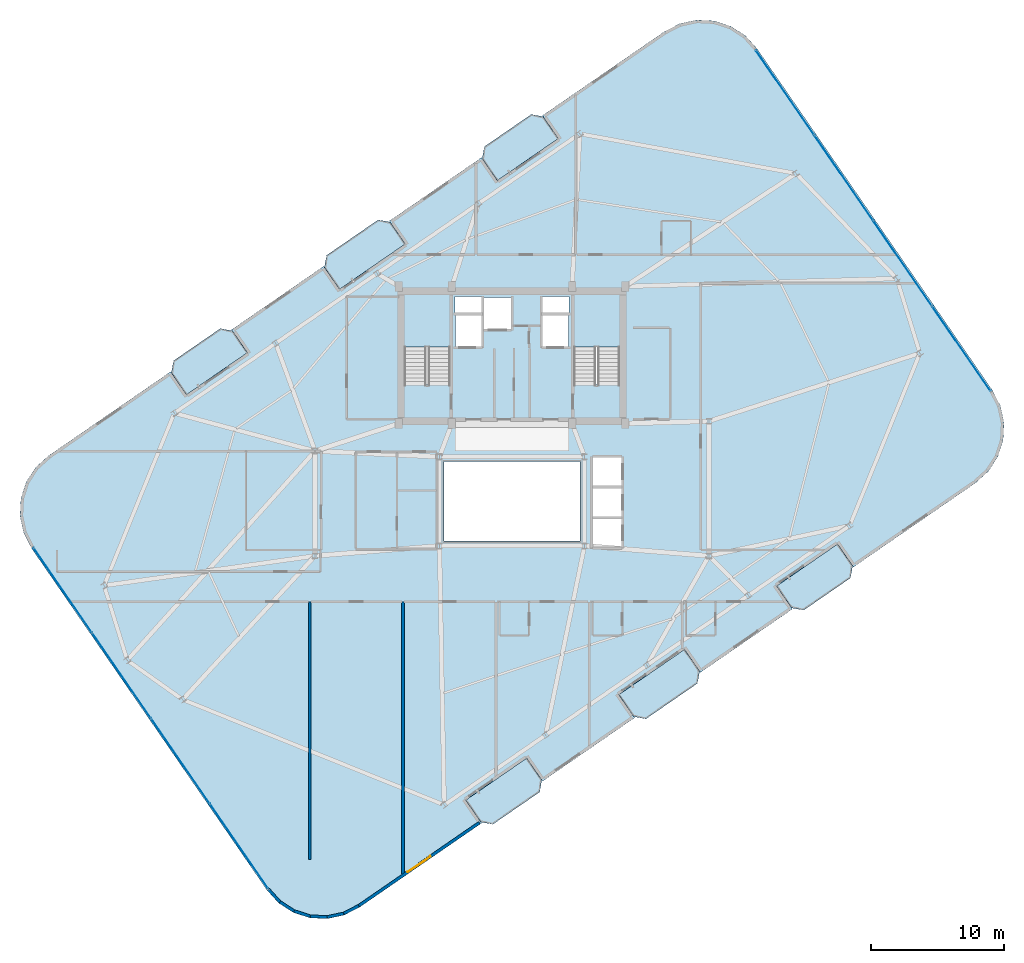
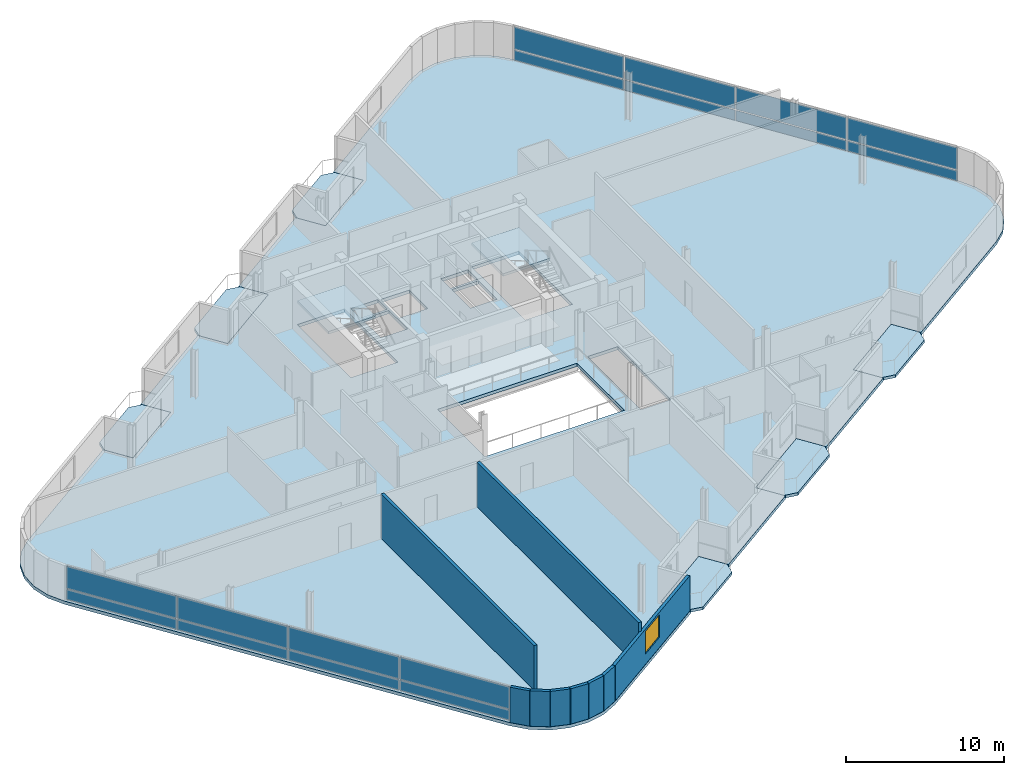
# One storey, part 13 of 21: 16 plates, 9 slabs, 9 walls, 1 window, 1 opening, 4 elements without a shape of their own.
"""IFC4 building model written with IfcOpenShell, lengths in metres."""

from ifc_helpers import new_model, si_unit, direction, frame, frame_2d, origin, origin_2d, place, context, subcontext, project, spatial, polyline, rectangle, outline, extrude, source, transform, mapped, material, layer, layer_set, type_object, element, fill, aggregate, save


model = new_model("IFC4")

# Units and contexts
model_context = context("Model", 3, precision=1e-05, world=origin(), true_north=direction((0.0, 1.0)))
body_context = subcontext(model_context, "Body", "Model", "MODEL_VIEW")
ifc_project = project(units=[si_unit("LENGTHUNIT", "METRE"), si_unit("AREAUNIT", "SQUARE_METRE"), si_unit("VOLUMEUNIT", "CUBIC_METRE"), si_unit("PLANEANGLEUNIT", "RADIAN"), si_unit("MASSUNIT", "GRAM", prefix="KILO")], contexts=[model_context])

# Site, building, storey
site_placement = place(None, origin())
site = spatial("IfcSite", under=ifc_project, at=site_placement, CompositionType="ELEMENT")
building_placement = place(site_placement, origin())
building = spatial("IfcBuilding", under=site, at=building_placement, Name="Varnelok Gate Tower", CompositionType="ELEMENT")
storey_placement = place(building_placement, frame((0.0, 0.0, 261.89990234375)))
storey = spatial("IfcBuildingStorey", under=building, at=storey_placement, Name="L67", CompositionType="ELEMENT", Elevation=261.89990234375)

# Slabs
ifc_material_1 = material(Name="Concrete C45/55", Category="concrete")
ifc_layer_1 = layer(ifc_material_1, 0.219970703125)
ifc_layer_set_1 = layer_set([ifc_layer_1], Name="Concrete C45/55")
slab_type_1 = type_object("IfcSlabType", Name="SLB-BALC-220", PredefinedType="FLOOR", material=ifc_layer_set_1)
slab_1_placement = place(storey_placement, frame((0.0, 0.0, -0.219970703125)))
element("IfcSlab", 1, at=slab_1_placement, inside=storey, type_object=slab_type_1, Name="L67 South Hollow Balcony 1", PredefinedType="FLOOR", context=body_context, shape_type="SweptSolid", body=[
    extrude(outline(polyline([(36.856201171875, -1.207275390625), (37.76025390625, -1.373779296875), (41.274169921875, 1.046630859375), (41.440673828125, 1.95068359375), (40.30615234375, 3.597900390625), (35.7216796875, 0.439697265625), (36.856201171875, -1.207275390625)])), origin(), (0.0, 0.0, 1.0), 0.219970703125),
])
slab_2_placement = place(storey_placement, frame((0.0, 0.0, -0.219970703125)))
element("IfcSlab", 2, at=slab_2_placement, inside=storey, type_object=slab_type_1, Name="L67 South Hollow Balcony 2", PredefinedType="FLOOR", context=body_context, shape_type="SweptSolid", body=[
    extrude(outline(polyline([(48.3583984375, 6.7158203125), (49.262451171875, 6.54931640625), (53.133056640625, 9.21533203125), (53.299560546875, 10.119384765625), (52.1650390625, 11.7666015625), (47.223876953125, 8.36279296875), (48.3583984375, 6.7158203125)])), origin(), (0.0, 0.0, 1.0), 0.219970703125),
])
slab_3_placement = place(storey_placement, frame((0.0, 0.0, -0.219970703125)))
element("IfcSlab", 3, at=slab_3_placement, inside=storey, type_object=slab_type_1, Name="L67 South Hollow Balcony 3", PredefinedType="FLOOR", context=body_context, shape_type="SweptSolid", body=[
    extrude(outline(polyline([(60.21728515625, 14.884521484375), (61.121337890625, 14.718017578125), (64.63525390625, 17.138427734375), (64.802001953125, 18.04248046875), (63.66748046875, 19.689453125), (59.082763671875, 16.531494140625), (60.21728515625, 14.884521484375)])), origin(), (0.0, 0.0, 1.0), 0.219970703125),
])
slab_4_placement = place(storey_placement, frame((0.0, 0.0, -0.219970703125)))
element("IfcSlab", 4, at=slab_4_placement, inside=storey, type_object=slab_type_1, Name="L67 North Hollow Balcony 1", PredefinedType="FLOOR", context=body_context, shape_type="SweptSolid", body=[
    extrude(outline(polyline([(14.732666015625, 30.910400390625), (19.3173828125, 34.068603515625), (18.1826171875, 35.715576171875), (17.27880859375, 35.882080078125), (13.7646484375, 33.461669921875), (13.59814453125, 32.5576171875), (14.732666015625, 30.910400390625)])), origin(), (0.0, 0.0, 1.0), 0.219970703125),
])
slab_5_placement = place(storey_placement, frame((0.0, 0.0, -0.219970703125)))
element("IfcSlab", 5, at=slab_5_placement, inside=storey, type_object=slab_type_1, Name="L67 North Hollow Balcony 2", PredefinedType="FLOOR", context=body_context, shape_type="SweptSolid", body=[
    extrude(outline(polyline([(26.23486328125, 38.83349609375), (31.176025390625, 42.2373046875), (30.04150390625, 43.88427734375), (29.1376953125, 44.05078125), (25.26708984375, 41.384521484375), (25.100341796875, 40.480712890625), (26.23486328125, 38.83349609375)])), origin(), (0.0, 0.0, 1.0), 0.219970703125),
])
slab_6_placement = place(storey_placement, frame((0.0, 0.0, -0.219970703125)))
element("IfcSlab", 6, at=slab_6_placement, inside=storey, type_object=slab_type_1, Name="L67 North Hollow Balcony 3", PredefinedType="FLOOR", context=body_context, shape_type="SweptSolid", body=[
    extrude(outline(polyline([(38.09375, 47.002197265625), (42.678466796875, 50.16015625), (41.5439453125, 51.807373046875), (40.639892578125, 51.973876953125), (37.125732421875, 49.55322265625), (36.959228515625, 48.6494140625), (38.09375, 47.002197265625)])), origin(), (0.0, 0.0, 1.0), 0.219970703125),
])

# Stair, slab
ifc_material_2 = material(Name="Concrete C50/60", Category="concrete")
stair_type = type_object("IfcStairType", Name="STR-CORE-1650", PredefinedType="HALF_TURN_STAIR", material=ifc_material_2)
stair_1_placement = place(storey_placement, origin())
stair_1 = element("IfcStair", 7, at=stair_1_placement, inside=storey, type_object=stair_type, Name="L67 Exit Stair ST-1", PredefinedType="HALF_TURN_STAIR")
ifc_layer_2 = layer(ifc_material_1, 0.199951171875)
ifc_layer_set_2 = layer_set([ifc_layer_2], Name="Concrete C45/55")
slab_type_2 = type_object("IfcSlabType", Name="SLB-LAND-200", PredefinedType="LANDING", material=ifc_layer_set_2)
slab_7_placement = place(storey_placement, frame((0.0, 0.0, 1.650146484375)))
slab_7 = element("IfcSlab", 8, at=slab_7_placement, type_object=slab_type_2, Name="ST-1 landing 1", PredefinedType="LANDING", context=body_context, shape_type="SweptSolid", body=[
    extrude(outline(polyline([(34.550048828125, 34.5), (34.550048828125, 38.449951171875), (31.10009765625, 38.449951171875), (31.10009765625, 34.5), (34.550048828125, 34.5)])), origin(), (0.0, 0.0, 1.0), 0.199951171875),
])
aggregate(stair_1, [slab_7])

stair_2_placement = place(storey_placement, origin())
stair_2 = element("IfcStair", 9, at=stair_2_placement, inside=storey, type_object=stair_type, Name="L67 Exit Stair ST-2", PredefinedType="HALF_TURN_STAIR")
slab_8_placement = place(storey_placement, frame((0.0, 0.0, 1.650146484375)))
slab_8 = element("IfcSlab", 10, at=slab_8_placement, type_object=slab_type_2, Name="ST-2 landing 1", PredefinedType="LANDING", context=body_context, shape_type="SweptSolid", body=[
    extrude(outline(polyline([(47.300048828125, 34.5), (47.300048828125, 38.449951171875), (43.85009765625, 38.449951171875), (43.85009765625, 34.5), (47.300048828125, 34.5)])), origin(), (0.0, 0.0, 1.0), 0.199951171875),
])
aggregate(stair_2, [slab_8])

# Slab
ifc_layer_3 = layer(ifc_material_2, 0.25)
ifc_layer_set_3 = layer_set([ifc_layer_3], Name="Concrete C50/60")
slab_type_3 = type_object("IfcSlabType", Name="SLB-TYP-250", PredefinedType="FLOOR", material=ifc_layer_set_3)
slab_9_placement = place(storey_placement, frame((0.0, 0.0, -0.25)))
element("IfcSlab", 11, at=slab_9_placement, inside=storey, type_object=slab_type_3, Name="L67 Structural Floor Slab", PredefinedType="FLOOR", context=body_context, shape_type="SweptSolid", body=[
    extrude(outline(polyline([(20.79052734375, -6.32373046875), (21.664794921875, -7.292724609375), (22.76025390625, -8.00244140625), (24.002197265625, -8.404541015625), (25.3056640625, -8.471435546875), (26.58203125, -8.19873046875), (27.744384765625, -7.60498046875), (36.25439453125, -1.7431640625), (36.912841796875, -1.28955078125), (35.7216796875, 0.439697265625), (40.30615234375, 3.597900390625), (41.49755859375, 1.868408203125), (48.4150390625, 6.63330078125), (47.223876953125, 8.36279296875), (52.1650390625, 11.7666015625), (53.356201171875, 10.037109375), (60.27392578125, 14.802001953125), (59.082763671875, 16.531494140625), (63.66748046875, 19.689453125), (64.858642578125, 17.960205078125), (65.51708984375, 18.413818359375), (74.027099609375, 24.275390625), (74.99609375, 25.14990234375), (75.705810546875, 26.245361328125), (76.10791015625, 27.487060546875), (76.1748046875, 28.79052734375), (75.902099609375, 30.067138671875), (75.308349609375, 31.2294921875), (57.609619140625, 56.923583984375), (56.735107421875, 57.892822265625), (55.6396484375, 58.6025390625), (54.39794921875, 59.00439453125), (53.094482421875, 59.071533203125), (51.81787109375, 58.798828125), (50.655517578125, 58.205078125), (42.145751953125, 52.34326171875), (41.487060546875, 51.8896484375), (42.678466796875, 50.16015625), (38.09375, 47.002197265625), (36.902587890625, 48.731689453125), (29.98486328125, 43.966552734375), (31.176025390625, 42.2373046875), (26.23486328125, 38.83349609375), (25.043701171875, 40.56298828125), (18.1259765625, 35.7978515625), (19.3173828125, 34.068603515625), (14.732666015625, 30.910400390625), (13.54150390625, 32.639892578125), (12.8828125, 32.186279296875), (4.373046875, 26.324462890625), (3.40380859375, 25.4501953125), (2.694091796875, 24.354736328125), (2.292236328125, 23.11279296875), (2.22509765625, 21.809326171875), (2.497802734375, 20.532958984375), (3.091796875, 19.37060546875), (20.79052734375, -6.32373046875)]), holes=[polyline([(34.550048828125, 31.679931640625), (34.550048828125, 38.449951171875), (31.10009765625, 38.449951171875), (31.10009765625, 31.679931640625), (34.550048828125, 31.679931640625)]), polyline([(47.300048828125, 31.679931640625), (47.300048828125, 38.449951171875), (43.85009765625, 38.449951171875), (43.85009765625, 31.679931640625), (47.300048828125, 31.679931640625)]), polyline([(34.949951171875, 34.550048828125), (36.89990234375, 34.550048828125), (36.89990234375, 36.89990234375), (34.949951171875, 36.89990234375), (34.949951171875, 34.550048828125)]), polyline([(41.5, 34.550048828125), (43.449951171875, 34.550048828125), (43.449951171875, 36.89990234375), (41.5, 36.89990234375), (41.5, 34.550048828125)]), polyline([(37.050048828125, 35.85009765625), (39.14990234375, 35.85009765625), (39.14990234375, 38.199951171875), (37.050048828125, 38.199951171875), (37.050048828125, 35.85009765625)]), polyline([(45.25, 19.449951171875), (47.449951171875, 19.449951171875), (47.449951171875, 26.199951171875), (45.25, 26.199951171875), (45.25, 19.449951171875)]), polyline([(34.919921875, 37.080078125), (36.89990234375, 37.080078125), (36.89990234375, 38.280029296875), (34.919921875, 38.280029296875), (34.919921875, 37.080078125)]), polyline([(41.5, 37.080078125), (43.47998046875, 37.080078125), (43.47998046875, 38.280029296875), (41.5, 38.280029296875), (41.5, 37.080078125)]), polyline([(34.10009765625, 19.89990234375), (44.300048828125, 19.89990234375), (44.300048828125, 25.89990234375), (34.10009765625, 25.89990234375), (34.10009765625, 19.89990234375)])]), origin(), (0.0, 0.0, 1.0), 0.25),
])

# Curtain wall, plates
ifc_material_3 = material(Name="Anodized Aluminum Alloy 6063-T6", Category="aluminium")
ifc_layer_4 = layer(ifc_material_3, 0.179931640625)
ifc_layer_set_4 = layer_set([ifc_layer_4], Name="Anodized Aluminum Alloy 6063-T6")
curtain_wall_type = type_object("IfcCurtainWallType", Name="CW4-RESIDENCE-VISION", PredefinedType="USERDEFINED", material=ifc_layer_set_4)
curtain_wall_1_placement = place(storey_placement, origin())
curtain_wall_1 = element("IfcCurtainWall", 12, at=curtain_wall_1_placement, inside=storey, type_object=curtain_wall_type, Name="L67 West End Vision Curtain Wall", ObjectType="UNITISED CURTAIN WALL", PredefinedType="USERDEFINED")
ifc_material_4 = material(Name="Low-E Laminated Double Glazing IGU", Category="glass")
ifc_layer_5 = layer(ifc_material_4, 0.035888671875)
ifc_layer_set_5 = layer_set([ifc_layer_5], Name="Low-E Laminated Double Glazing IGU")
plate_type = type_object("IfcPlateType", Name="CW-PNL-IGU36", PredefinedType="CURTAIN_PANEL", material=ifc_layer_set_5)
shared_shape_1 = source(origin(), body_context, "Body", "SweptSolid", [
    extrude(rectangle(XDim=7.6875, YDim=0.035888671875, at=origin_2d()), origin(), (0.0, 0.0, 1.0), 0.78759765625),
])
plate_1_placement = place(storey_placement, frame((18.682861328125, -3.01708984375, 0.074951171875), z_axis=(0.0, 0.0, 1.0), x_axis=(-0.567269395376, 0.823532290241, 0.0)))
plate_1 = element("IfcPlate", 13, at=plate_1_placement, type_object=plate_type, Name="CW4 panel 1.1", PredefinedType="CURTAIN_PANEL", context=body_context, shape_type="MappedRepresentation", body=[
    mapped(shared_shape_1, transform((0.0, 0.0, 0.0), scale=1.0)),
])
plate_2_placement = place(storey_placement, frame((5.429931640625, 16.22265625, 0.074951171875), z_axis=(0.0, 0.0, 1.0), x_axis=(-0.567269395376, 0.823532290241, 0.0)))
plate_2 = element("IfcPlate", 14, at=plate_2_placement, type_object=plate_type, Name="CW4 panel 4.1", PredefinedType="CURTAIN_PANEL", context=body_context, shape_type="MappedRepresentation", body=[
    mapped(shared_shape_1, transform((0.0, 0.0, 0.0), scale=1.0)),
])

curtain_wall_2_placement = place(storey_placement, origin())
curtain_wall_2 = element("IfcCurtainWall", 15, at=curtain_wall_2_placement, inside=storey, type_object=curtain_wall_type, Name="L67 East End Vision Curtain Wall", ObjectType="UNITISED CURTAIN WALL", PredefinedType="USERDEFINED")
plate_3_placement = place(storey_placement, frame((59.71728515625, 53.6171875, 0.074951171875), z_axis=(0.0, 0.0, 1.0), x_axis=(0.567269395376, -0.823532290241, 0.0)))
plate_3 = element("IfcPlate", 16, at=plate_3_placement, type_object=plate_type, Name="CW4 panel 1.1", PredefinedType="CURTAIN_PANEL", context=body_context, shape_type="MappedRepresentation", body=[
    mapped(shared_shape_1, transform((0.0, 0.0, 0.0), scale=1.0)),
])
plate_4_placement = place(storey_placement, frame((72.969970703125, 34.377197265625, 0.074951171875), z_axis=(0.0, 0.0, 1.0), x_axis=(0.567269395376, -0.823532290241, 0.0)))
plate_4 = element("IfcPlate", 17, at=plate_4_placement, type_object=plate_type, Name="CW4 panel 4.1", PredefinedType="CURTAIN_PANEL", context=body_context, shape_type="MappedRepresentation", body=[
    mapped(shared_shape_1, transform((0.0, 0.0, 0.0), scale=1.0)),
])

# Plate
shared_shape_2 = source(origin(), body_context, "Body", "SweptSolid", [
    extrude(rectangle(XDim=7.6875, YDim=0.035888671875, at=origin_2d()), origin(), (0.0, 0.0, 1.0), 1.717529296875),
])
plate_5_placement = place(storey_placement, frame((18.682861328125, -3.01708984375, 0.9375), z_axis=(0.0, 0.0, 1.0), x_axis=(-0.567269395376, 0.823532290241, 0.0)))
plate_5 = element("IfcPlate", 18, at=plate_5_placement, type_object=plate_type, Name="CW4 panel 1.2", PredefinedType="CURTAIN_PANEL", context=body_context, shape_type="MappedRepresentation", body=[
    mapped(shared_shape_2, transform((0.0, 0.0, 0.0), scale=1.0)),
])

plate_6_placement = place(storey_placement, frame((5.429931640625, 16.22265625, 0.9375), z_axis=(0.0, 0.0, 1.0), x_axis=(-0.567269395376, 0.823532290241, 0.0)))
plate_6 = element("IfcPlate", 19, at=plate_6_placement, type_object=plate_type, Name="CW4 panel 4.2", PredefinedType="CURTAIN_PANEL", context=body_context, shape_type="MappedRepresentation", body=[
    mapped(shared_shape_2, transform((0.0, 0.0, 0.0), scale=1.0)),
])

plate_7_placement = place(storey_placement, frame((59.71728515625, 53.6171875, 0.9375), z_axis=(0.0, 0.0, 1.0), x_axis=(0.567269395376, -0.823532290241, 0.0)))
plate_7 = element("IfcPlate", 20, at=plate_7_placement, type_object=plate_type, Name="CW4 panel 1.2", PredefinedType="CURTAIN_PANEL", context=body_context, shape_type="MappedRepresentation", body=[
    mapped(shared_shape_2, transform((0.0, 0.0, 0.0), scale=1.0)),
])

plate_8_placement = place(storey_placement, frame((72.969970703125, 34.377197265625, 0.9375), z_axis=(0.0, 0.0, 1.0), x_axis=(0.567269395376, -0.823532290241, 0.0)))
plate_8 = element("IfcPlate", 21, at=plate_8_placement, type_object=plate_type, Name="CW4 panel 4.2", PredefinedType="CURTAIN_PANEL", context=body_context, shape_type="MappedRepresentation", body=[
    mapped(shared_shape_2, transform((0.0, 0.0, 0.0), scale=1.0)),
])

shared_shape_3 = source(origin(), body_context, "Body", "SweptSolid", [
    extrude(rectangle(XDim=7.72509765625, YDim=0.035888671875, at=origin_2d()), origin(), (0.0, 0.0, 1.0), 0.78759765625),
])
plate_9_placement = place(storey_placement, frame((14.268798828125, 3.39111328125, 0.074951171875), z_axis=(0.0, 0.0, 1.0), x_axis=(-0.567269395376, 0.823532290241, 0.0)))
plate_9 = element("IfcPlate", 22, at=plate_9_placement, type_object=plate_type, Name="CW4 panel 2.1", PredefinedType="CURTAIN_PANEL", context=body_context, shape_type="MappedRepresentation", body=[
    mapped(shared_shape_3, transform((0.0, 0.0, 0.0), scale=1.0)),
])

plate_10_placement = place(storey_placement, frame((9.843994140625, 9.814453125, 0.074951171875), z_axis=(0.0, 0.0, 1.0), x_axis=(-0.567269395376, 0.823532290241, 0.0)))
plate_10 = element("IfcPlate", 23, at=plate_10_placement, type_object=plate_type, Name="CW4 panel 3.1", PredefinedType="CURTAIN_PANEL", context=body_context, shape_type="MappedRepresentation", body=[
    mapped(shared_shape_3, transform((0.0, 0.0, 0.0), scale=1.0)),
])

plate_11_placement = place(storey_placement, frame((64.13134765625, 47.208984375, 0.074951171875), z_axis=(0.0, 0.0, 1.0), x_axis=(0.567269395376, -0.823532290241, 0.0)))
plate_11 = element("IfcPlate", 24, at=plate_11_placement, type_object=plate_type, Name="CW4 panel 2.1", PredefinedType="CURTAIN_PANEL", context=body_context, shape_type="MappedRepresentation", body=[
    mapped(shared_shape_3, transform((0.0, 0.0, 0.0), scale=1.0)),
])

plate_12_placement = place(storey_placement, frame((68.555908203125, 40.785400390625, 0.074951171875), z_axis=(0.0, 0.0, 1.0), x_axis=(0.567269395376, -0.823532290241, 0.0)))
plate_12 = element("IfcPlate", 25, at=plate_12_placement, type_object=plate_type, Name="CW4 panel 3.1", PredefinedType="CURTAIN_PANEL", context=body_context, shape_type="MappedRepresentation", body=[
    mapped(shared_shape_3, transform((0.0, 0.0, 0.0), scale=1.0)),
])

shared_shape_4 = source(origin(), body_context, "Body", "SweptSolid", [
    extrude(rectangle(XDim=7.72509765625, YDim=0.035888671875, at=origin_2d()), origin(), (0.0, 0.0, 1.0), 1.717529296875),
])
plate_13_placement = place(storey_placement, frame((14.268798828125, 3.39111328125, 0.9375), z_axis=(0.0, 0.0, 1.0), x_axis=(-0.567269395376, 0.823532290241, 0.0)))
plate_13 = element("IfcPlate", 26, at=plate_13_placement, type_object=plate_type, Name="CW4 panel 2.2", PredefinedType="CURTAIN_PANEL", context=body_context, shape_type="MappedRepresentation", body=[
    mapped(shared_shape_4, transform((0.0, 0.0, 0.0), scale=1.0)),
])

plate_14_placement = place(storey_placement, frame((9.843994140625, 9.814453125, 0.9375), z_axis=(0.0, 0.0, 1.0), x_axis=(-0.567269395376, 0.823532290241, 0.0)))
plate_14 = element("IfcPlate", 27, at=plate_14_placement, type_object=plate_type, Name="CW4 panel 3.2", PredefinedType="CURTAIN_PANEL", context=body_context, shape_type="MappedRepresentation", body=[
    mapped(shared_shape_4, transform((0.0, 0.0, 0.0), scale=1.0)),
])

aggregate(curtain_wall_1, [plate_1, plate_5, plate_9, plate_13, plate_10, plate_14, plate_2, plate_6])

plate_15_placement = place(storey_placement, frame((64.13134765625, 47.208984375, 0.9375), z_axis=(0.0, 0.0, 1.0), x_axis=(0.567269395376, -0.823532290241, 0.0)))
plate_15 = element("IfcPlate", 28, at=plate_15_placement, type_object=plate_type, Name="CW4 panel 2.2", PredefinedType="CURTAIN_PANEL", context=body_context, shape_type="MappedRepresentation", body=[
    mapped(shared_shape_4, transform((0.0, 0.0, 0.0), scale=1.0)),
])

plate_16_placement = place(storey_placement, frame((68.555908203125, 40.785400390625, 0.9375), z_axis=(0.0, 0.0, 1.0), x_axis=(0.567269395376, -0.823532290241, 0.0)))
plate_16 = element("IfcPlate", 29, at=plate_16_placement, type_object=plate_type, Name="CW4 panel 3.2", PredefinedType="CURTAIN_PANEL", context=body_context, shape_type="MappedRepresentation", body=[
    mapped(shared_shape_4, transform((0.0, 0.0, 0.0), scale=1.0)),
])

aggregate(curtain_wall_2, [plate_3, plate_7, plate_11, plate_15, plate_12, plate_16, plate_4, plate_8])

# Walls
ifc_layer_6 = layer(ifc_material_1, 0.219970703125)
ifc_layer_set_6 = layer_set([ifc_layer_6], Name="Concrete C45/55")
wall_type_1 = type_object("IfcWallType", Name="EW-BALC-220", PredefinedType="SOLIDWALL", material=ifc_layer_set_6)
wall_1_placement = place(storey_placement, frame((20.89013671875, -6.255126953125, 0.0), z_axis=(0.0, 0.0, 1.0), x_axis=(0.669949059844, -0.74240706975, 0.0)))
element("IfcWall", 30, at=wall_1_placement, inside=storey, type_object=wall_type_1, Name="L67 Perimeter Facade Closure Wall 1", PredefinedType="SOLIDWALL", context=body_context, shape_type="SweptSolid", body=[
    extrude(rectangle(XDim=1.273681640625, YDim=0.219970703125, at=frame_2d((0.63671875, 0.0))), origin(), (0.0, 0.0, 1.0), 2.72998046875),
])
for number, where, z_axis, x_axis, name in (
    (31, (21.764404296875, -7.21435546875, 0.0), (0.0, 0.0, 1.0), (0.839229000731, -0.543778157277, 0.0), "L67 Perimeter Facade Closure Wall 2"),
    (32, (22.836181640625, -7.90087890625, 0.0), (0.0, 0.0, 1.0), (0.951385542995, -0.308002513919, 0.0), "L67 Perimeter Facade Closure Wall 3"),
    (33, (24.049072265625, -8.286865234375, 0.0), (0.0, 0.0, 1.0), (0.998686637427, -0.051234756022, 0.0), "L67 Perimeter Facade Closure Wall 4"),
):
    element("IfcWall", number, at=place(storey_placement, frame(where, z_axis=z_axis, x_axis=x_axis)), inside=storey, type_object=wall_type_1, Name=name, PredefinedType="SOLIDWALL", context=body_context, shape_type="SweptSolid", body=[
        extrude(rectangle(XDim=1.24853515625, YDim=0.219970703125, at=frame_2d((0.624267578125, 0.0))), origin(), (0.0, 0.0, 1.0), 2.72998046875),
    ])
wall_2_placement = place(storey_placement, frame((25.3203125, -8.345703125, 0.0), z_axis=(0.0, 0.0, 1.0), x_axis=(0.977916710262, 0.208994994656, 0.0)))
element("IfcWall", 34, at=wall_2_placement, inside=storey, type_object=wall_type_1, Name="L67 Perimeter Facade Closure Wall 5", PredefinedType="SOLIDWALL", context=body_context, shape_type="SweptSolid", body=[
    extrude(rectangle(XDim=1.248779296875, YDim=0.219970703125, at=frame_2d((0.62451171875, 0.0))), origin(), (0.0, 0.0, 1.0), 2.72998046875),
])
wall_3_placement = place(storey_placement, frame((26.563720703125, -8.073486328125, 0.0), z_axis=(0.0, 0.0, 1.0), x_axis=(0.890508147271, 0.454967295137, 0.0)))
element("IfcWall", 35, at=wall_3_placement, inside=storey, type_object=wall_type_1, Name="L67 Perimeter Facade Closure Wall 6", PredefinedType="SOLIDWALL", context=body_context, shape_type="SweptSolid", body=[
    extrude(rectangle(XDim=1.2568359375, YDim=0.219970703125, at=frame_2d((0.62841796875, 0.0))), origin(), (0.0, 0.0, 1.0), 2.72998046875),
])

# Wall, opening, window
wall_4_placement = place(storey_placement, frame((27.70361328125, -7.487548828125, 0.0), z_axis=(0.0, 0.0, 1.0), x_axis=(0.823529068157, 0.567274073003, 0.0)))
wall_4 = element("IfcWall", 36, at=wall_4_placement, inside=storey, type_object=wall_type_1, Name="L67 Perimeter Facade Closure Wall 7", PredefinedType="SOLIDWALL", context=body_context, shape_type="SweptSolid", body=[
    extrude(rectangle(XDim=10.980224609375, YDim=0.219970703125, at=frame_2d((5.490234375, 0.0))), origin(), (0.0, 0.0, 1.0), 2.72998046875),
])
opening_placement = place(wall_4_placement, frame((4.440185546875, 0.0, 0.800048828125)))
opening = element("IfcOpeningElement", 37, at=opening_placement, cuts=wall_4, Name="Opening WN4", PredefinedType="OPENING", context=body_context, shape_type="SweptSolid", body=[
    extrude(rectangle(XDim=2.10009765625, YDim=1.75, at=frame_2d((1.050048828125, 0.875))), frame((0.0, 0.119873046875, 0.0), z_axis=(0.0, -1.0, 0.0), x_axis=(1.0, 0.0, 0.0)), (0.0, 0.0, 1.0), 0.239990234375),
])
window_type = type_object("IfcWindowType", Name="WN-SUI-2100", PartitioningType="SINGLE_PANEL", PredefinedType="WINDOW", material=ifc_material_4)
window_placement = place(opening_placement, origin())
window = element("IfcWindow", 38, at=window_placement, inside=storey, type_object=window_type, Name="L67 Perimeter Vision Window 7", OverallHeight=1.75, OverallWidth=2.10009765625, PartitioningType="SINGLE_PANEL", PredefinedType="WINDOW", context=body_context, shape_type="SweptSolid", body=[
    extrude(rectangle(XDim=2.10009765625, YDim=1.75, at=frame_2d((1.050048828125, 0.875))), frame((0.0, 0.030029296875, 0.0), z_axis=(0.0, -1.0, 0.0), x_axis=(1.0, 0.0, 0.0)), (0.0, 0.0, 1.0), 0.06005859375),
])
fill(opening, window)

# Walls
ifc_material_5 = material(Name="Gypsum Plasterboard Acoustic Partition", Category="gypsum")
ifc_layer_7 = layer(ifc_material_5, 0.205078125)
ifc_layer_set_7 = layer_set([ifc_layer_7], Name="Gypsum Plasterboard Acoustic Partition")
wall_type_2 = type_object("IfcWallType", Name="PW-PARTY-200", PredefinedType="PARTITIONING", material=ifc_layer_set_7)
wall_5_placement = place(storey_placement, frame((24.0, -4.0, 0.0), z_axis=(0.0, 0.0, 1.0), x_axis=(0.0, 1.0, 0.0)))
element("IfcWall", 39, at=wall_5_placement, inside=storey, type_object=wall_type_2, Name="L67 South Party Wall 1", PredefinedType="PARTITIONING", context=body_context, shape_type="SweptSolid", body=[
    extrude(rectangle(XDim=19.35009765625, YDim=0.205078125, at=frame_2d((9.675048828125, 0.0))), origin(), (0.0, 0.0, 1.0), 3.4501953125),
])
wall_6_placement = place(storey_placement, frame((31.0, -5.11181640625, 0.0), z_axis=(0.0, 0.0, 1.0), x_axis=(0.0, 1.0, 0.0)))
element("IfcWall", 40, at=wall_6_placement, inside=storey, type_object=wall_type_2, Name="L67 South Party Wall 2", PredefinedType="PARTITIONING", context=body_context, shape_type="SweptSolid", body=[
    extrude(rectangle(XDim=20.4619140625, YDim=0.205078125, at=frame_2d((10.23095703125, 0.0))), origin(), (0.0, 0.0, 1.0), 3.4501953125),
])

save(model, "model.ifc")
